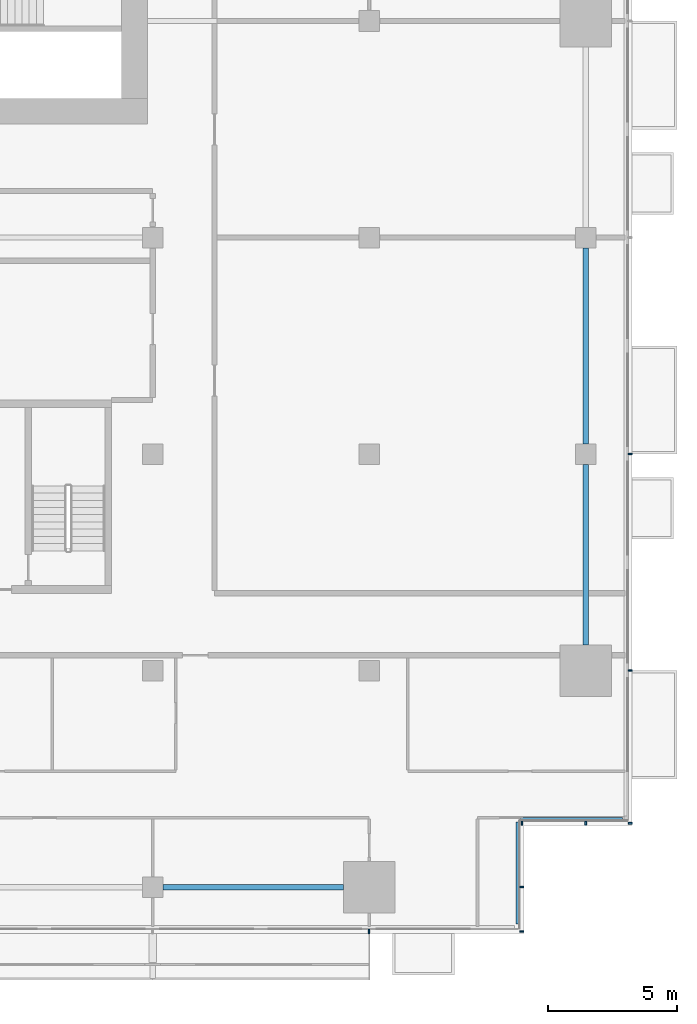
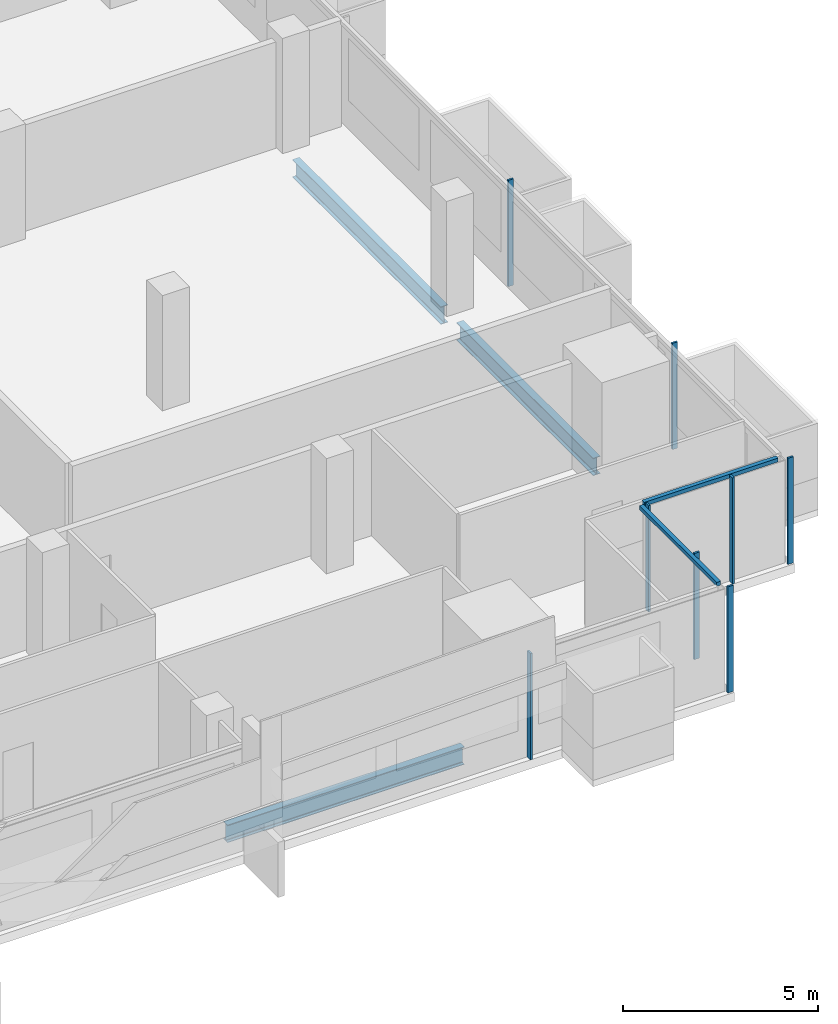
# One storey, part 11 of 26: 10 members, 3 beams, 4 elements without a shape of their own.
"""IFC4 building model written with IfcOpenShell, lengths in metres."""

from ifc_helpers import new_model, si_unit, direction, frame, origin, origin_2d, place, context, subcontext, project, spatial, rectangle, i_section, extrude, material, material_profile, profile_set, type_object, element, aggregate, save


model = new_model("IFC4")

# Units and contexts
model_context = context("Model", 3, precision=1e-05, world=origin(), true_north=direction((0.0, 1.0)))
body_context = subcontext(model_context, "Body", "Model", "MODEL_VIEW")
ifc_project = project(units=[si_unit("LENGTHUNIT", "METRE"), si_unit("AREAUNIT", "SQUARE_METRE"), si_unit("VOLUMEUNIT", "CUBIC_METRE"), si_unit("PLANEANGLEUNIT", "RADIAN"), si_unit("MASSUNIT", "GRAM", prefix="KILO")], contexts=[model_context])

# Site, building, storey
site_placement = place(None, origin())
site = spatial("IfcSite", under=ifc_project, at=site_placement, CompositionType="ELEMENT")
building_placement = place(site_placement, origin())
building = spatial("IfcBuilding", under=site, at=building_placement, Name="Saffron Gate Tower", CompositionType="ELEMENT")
storey_placement = place(building_placement, frame((0.0, 0.0, 102.449951171875)))
storey = spatial("IfcBuildingStorey", under=building, at=storey_placement, Name="L23", CompositionType="ELEMENT", Elevation=102.449951171875)

# Beams
ifc_material_1 = material(Name="Structural steel S355", Category="steel")
ifc_material_profile_1 = material_profile(ifc_material_1, i_section(OverallWidth=0.2099609375, OverallDepth=0.550048828125, WebThickness=0.010986328125, FlangeThickness=0.01708984375, FilletRadius=0.02392578125, at=origin_2d()))
ifc_profile_set_1 = profile_set([ifc_material_profile_1], Name="Structural steel S355")
beam_type = type_object("IfcBeamType", Name="B13 IPE 550", PredefinedType="SPANDREL", material=ifc_profile_set_1)
for number, where, z_axis, x_axis, name in (
    (1, (109.0, 31.800048828125, -0.554931640625), (1.0, 0.0, 0.0), (0.0, 1.0, 0.0), "B13 SPANDREL BEAM"),
    (2, (125.39990234375, 41.199951171875, -0.554931640625), (0.0, 1.0, 0.0), (-1.0, 0.0, 0.0), "B13 SPANDREL BEAM"),
):
    element("IfcBeam", number, at=place(storey_placement, frame(where, z_axis=z_axis, x_axis=x_axis)), inside=storey, type_object=beam_type, Name=name, PredefinedType="SPANDREL", context=body_context, shape_type="SweptSolid", body=[
        extrude(i_section(OverallWidth=0.2099609375, OverallDepth=0.550048828125, WebThickness=0.010986328125, FlangeThickness=0.01708984375, FilletRadius=0.02392578125, at=origin_2d()), origin(), (0.0, 0.0, 1.0), 7.0),
    ])
beam_placement = place(storey_placement, frame((125.39990234375, 49.0, -0.554931640625), z_axis=(0.0, 1.0, 0.0), x_axis=(-1.0, 0.0, 0.0)))
element("IfcBeam", 3, at=beam_placement, inside=storey, type_object=beam_type, Name="B13 SPANDREL BEAM", PredefinedType="SPANDREL", context=body_context, shape_type="SweptSolid", body=[
    extrude(i_section(OverallWidth=0.2099609375, OverallDepth=0.550048828125, WebThickness=0.010986328125, FlangeThickness=0.01708984375, FilletRadius=0.02392578125, at=origin_2d()), origin(), (0.0, 0.0, 1.0), 7.60009765625),
])

# Curtain wall, member
ifc_material_2 = material(Name="Aluminium, bronze anodised", Category="aluminium")
curtain_wall_type_1 = type_object("IfcCurtainWallType", Name="CWS1 curtain wall front facade", PredefinedType="NOTDEFINED", material=ifc_material_2)
curtain_wall_1_placement = place(storey_placement, origin())
curtain_wall_1 = element("IfcCurtainWall", 4, at=curtain_wall_1_placement, inside=storey, type_object=curtain_wall_type_1, Name="CWS1 run 1", PredefinedType="NOTDEFINED")
ifc_material_profile_2 = material_profile(ifc_material_2, rectangle(XDim=0.159912109375, YDim=0.06005859375, at=origin_2d()))
ifc_profile_set_2 = profile_set([ifc_material_profile_2], Name="Aluminium, bronze anodised")
member_type_1 = type_object("IfcMemberType", Name="CWS1 mullion 60x160", PredefinedType="MULLION", material=ifc_profile_set_2)
member_1_placement = place(storey_placement, frame((117.0, 30.080078125, 0.0), z_axis=(0.0, 0.0, 1.0), x_axis=(0.0, 1.0, 0.0)))
member_1 = element("IfcMember", 5, at=member_1_placement, type_object=member_type_1, Name="CWS1 mullion 9", PredefinedType="MULLION", context=body_context, shape_type="SweptSolid", body=[
    extrude(rectangle(XDim=0.159912109375, YDim=0.06005859375, at=origin_2d()), origin(), (0.0, 0.0, 1.0), 3.320068359375),
])
aggregate(curtain_wall_1, [member_1])

# Curtain wall, members
curtain_wall_type_2 = type_object("IfcCurtainWallType", Name="CWS2 curtain wall side facades", PredefinedType="NOTDEFINED", material=ifc_material_2)
curtain_wall_2_placement = place(storey_placement, origin())
curtain_wall_2 = element("IfcCurtainWall", 6, at=curtain_wall_2_placement, inside=storey, type_object=curtain_wall_type_2, Name="CWS2 run 4", PredefinedType="NOTDEFINED")
ifc_material_profile_3 = material_profile(ifc_material_2, rectangle(XDim=0.159912109375, YDim=0.06005859375, at=origin_2d()))
ifc_profile_set_3 = profile_set([ifc_material_profile_3], Name="Aluminium, bronze anodised")
member_type_2 = type_object("IfcMemberType", Name="CWS2 mullion 60x160", PredefinedType="MULLION", material=ifc_profile_set_3)
member_2_placement = place(storey_placement, frame((127.1201171875, 34.280029296875, 0.0), z_axis=(0.0, 0.0, 1.0), x_axis=(-1.0, 0.0, 0.0)))
member_2 = element("IfcMember", 7, at=member_2_placement, type_object=member_type_2, Name="CWS2 mullion 1", PredefinedType="MULLION", context=body_context, shape_type="SweptSolid", body=[
    extrude(rectangle(XDim=0.159912109375, YDim=0.06005859375, at=origin_2d()), origin(), (0.0, 0.0, 1.0), 3.320068359375),
])
member_3_placement = place(storey_placement, frame((127.1201171875, 40.199951171875, 0.0), z_axis=(0.0, 0.0, 1.0), x_axis=(-1.0, 0.0, 0.0)))
member_3 = element("IfcMember", 8, at=member_3_placement, type_object=member_type_2, Name="CWS2 mullion 2", PredefinedType="MULLION", context=body_context, shape_type="SweptSolid", body=[
    extrude(rectangle(XDim=0.159912109375, YDim=0.06005859375, at=origin_2d()), origin(), (0.0, 0.0, 1.0), 3.320068359375),
])
member_4_placement = place(storey_placement, frame((127.1201171875, 48.60009765625, 0.0), z_axis=(0.0, 0.0, 1.0), x_axis=(-1.0, 0.0, 0.0)))
member_4 = element("IfcMember", 9, at=member_4_placement, type_object=member_type_2, Name="CWS2 mullion 3", PredefinedType="MULLION", context=body_context, shape_type="SweptSolid", body=[
    extrude(rectangle(XDim=0.159912109375, YDim=0.06005859375, at=origin_2d()), origin(), (0.0, 0.0, 1.0), 3.320068359375),
])
aggregate(curtain_wall_2, [member_2, member_3, member_4])

# Curtain wall, member
curtain_wall_type_3 = type_object("IfcCurtainWallType", Name="CWS4 curtain wall corner returns", PredefinedType="NOTDEFINED", material=ifc_material_2)
curtain_wall_3_placement = place(storey_placement, origin())
curtain_wall_3 = element("IfcCurtainWall", 10, at=curtain_wall_3_placement, inside=storey, type_object=curtain_wall_type_3, Name="CWS4 run 2", PredefinedType="NOTDEFINED")
ifc_material_profile_4 = material_profile(ifc_material_2, rectangle(XDim=0.1201171875, YDim=0.1201171875, at=origin_2d()))
ifc_profile_set_4 = profile_set([ifc_material_profile_4], Name="Aluminium, bronze anodised")
member_type_3 = type_object("IfcMemberType", Name="CWS4 head transom", PredefinedType="USERDEFINED", material=ifc_profile_set_4)
member_5_placement = place(storey_placement, frame((122.751953125, 30.367919921875, 3.260009765625), z_axis=(0.0, 1.0, 0.0), x_axis=(-1.0, 0.0, 0.0)))
member_5 = element("IfcMember", 11, at=member_5_placement, type_object=member_type_3, Name="CWS4 head transom", ObjectType="TRANSOM", PredefinedType="USERDEFINED", context=body_context, shape_type="SweptSolid", body=[
    extrude(rectangle(XDim=0.1201171875, YDim=0.1201171875, at=origin_2d()), origin(), (0.0, 0.0, 1.0), 3.9599609375),
])

curtain_wall_4_placement = place(storey_placement, origin())
curtain_wall_4 = element("IfcCurtainWall", 12, at=curtain_wall_4_placement, inside=storey, type_object=curtain_wall_type_3, Name="CWS4 run 3", PredefinedType="NOTDEFINED")
member_6_placement = place(storey_placement, frame((122.8720703125, 34.447998046875, 3.260009765625), z_axis=(1.0, 0.0, 0.0), x_axis=(0.0, 1.0, 0.0)))
member_6 = element("IfcMember", 13, at=member_6_placement, type_object=member_type_3, Name="CWS4 head transom", ObjectType="TRANSOM", PredefinedType="USERDEFINED", context=body_context, shape_type="SweptSolid", body=[
    extrude(rectangle(XDim=0.1201171875, YDim=0.1201171875, at=origin_2d()), origin(), (0.0, 0.0, 1.0), 3.9599609375),
])

# Member
ifc_material_profile_5 = material_profile(ifc_material_2, rectangle(XDim=0.159912109375, YDim=0.06005859375, at=origin_2d()))
ifc_profile_set_5 = profile_set([ifc_material_profile_5], Name="Aluminium, bronze anodised")
member_type_4 = type_object("IfcMemberType", Name="CWS4 mullion 60x160", PredefinedType="MULLION", material=ifc_profile_set_5)
member_7_placement = place(storey_placement, frame((122.919921875, 30.080078125, 0.0), z_axis=(0.0, 0.0, 1.0), x_axis=(-1.0, 0.0, 0.0)))
member_7 = element("IfcMember", 14, at=member_7_placement, type_object=member_type_4, Name="CWS4 mullion 1", PredefinedType="MULLION", context=body_context, shape_type="SweptSolid", body=[
    extrude(rectangle(XDim=0.159912109375, YDim=0.06005859375, at=origin_2d()), origin(), (0.0, 0.0, 1.0), 3.320068359375),
])

member_8_placement = place(storey_placement, frame((122.919921875, 31.800048828125, 0.0), z_axis=(0.0, 0.0, 1.0), x_axis=(-1.0, 0.0, 0.0)))
member_8 = element("IfcMember", 15, at=member_8_placement, type_object=member_type_4, Name="CWS4 mullion 2", PredefinedType="MULLION", context=body_context, shape_type="SweptSolid", body=[
    extrude(rectangle(XDim=0.159912109375, YDim=0.06005859375, at=origin_2d()), origin(), (0.0, 0.0, 1.0), 3.320068359375),
])

aggregate(curtain_wall_3, [member_7, member_8, member_5])

member_9_placement = place(storey_placement, frame((122.919921875, 34.280029296875, 0.0), z_axis=(0.0, 0.0, 1.0), x_axis=(0.0, 1.0, 0.0)))
member_9 = element("IfcMember", 16, at=member_9_placement, type_object=member_type_4, Name="CWS4 mullion 1", PredefinedType="MULLION", context=body_context, shape_type="SweptSolid", body=[
    extrude(rectangle(XDim=0.159912109375, YDim=0.06005859375, at=origin_2d()), origin(), (0.0, 0.0, 1.0), 3.320068359375),
])

member_10_placement = place(storey_placement, frame((125.39990234375, 34.280029296875, 0.0), z_axis=(0.0, 0.0, 1.0), x_axis=(0.0, 1.0, 0.0)))
member_10 = element("IfcMember", 17, at=member_10_placement, type_object=member_type_4, Name="CWS4 mullion 2", PredefinedType="MULLION", context=body_context, shape_type="SweptSolid", body=[
    extrude(rectangle(XDim=0.159912109375, YDim=0.06005859375, at=origin_2d()), origin(), (0.0, 0.0, 1.0), 3.320068359375),
])

aggregate(curtain_wall_4, [member_9, member_10, member_6])

save(model, "model.ifc")
